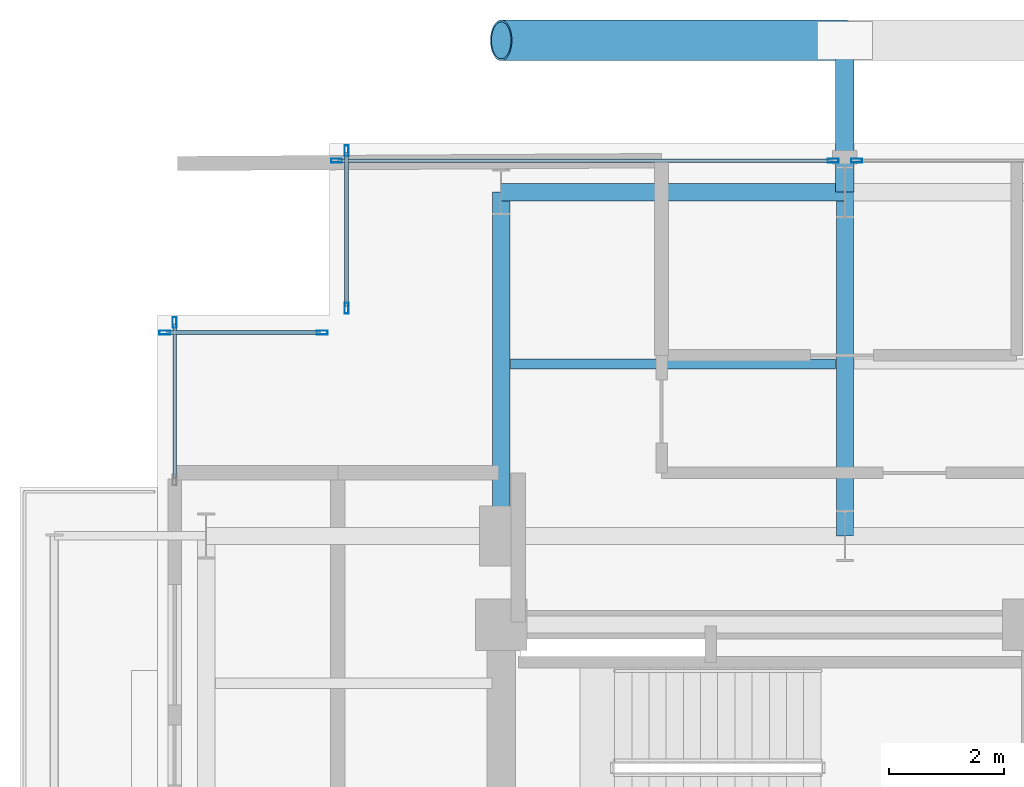
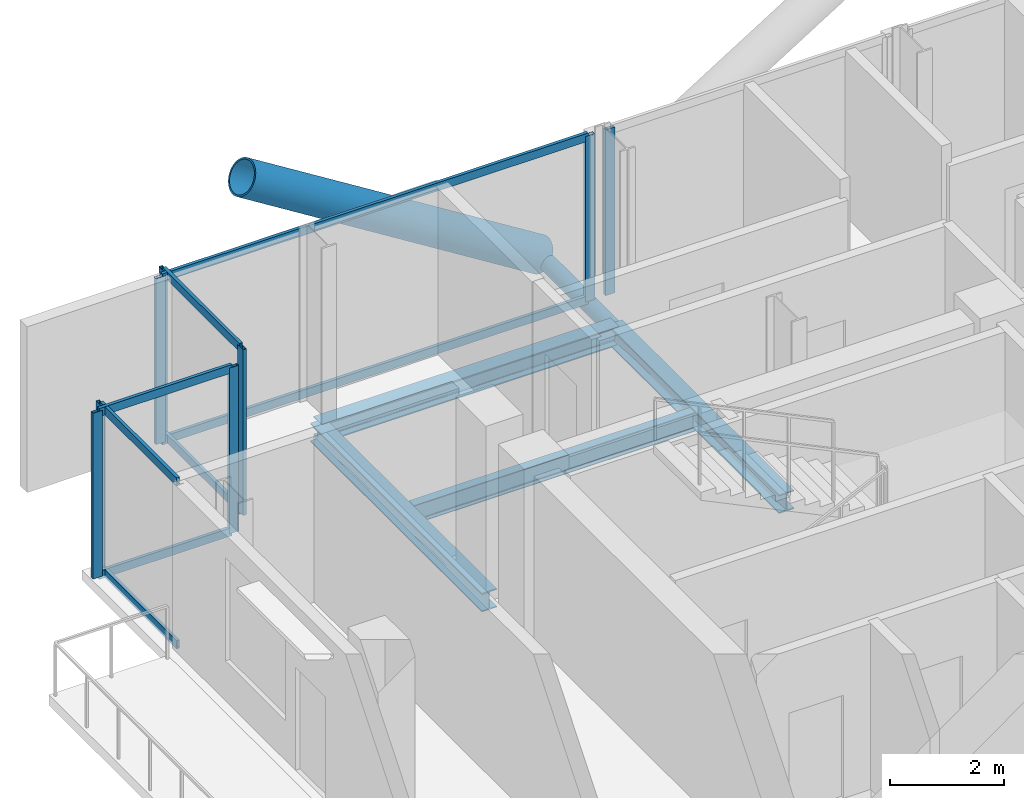
# One storey, part 14 of 26: 18 members, 4 beams, 5 elements without a shape of their own.
"""IFC4 building model written with IfcOpenShell, lengths in metres."""

from ifc_helpers import new_model, si_unit, direction, frame, origin, origin_2d, place, context, subcontext, project, spatial, hollow_rectangle, hollow_circle, i_section, extrude, material, layer, layer_set, material_profile, profile_set, type_object, element, aggregate, save


model = new_model("IFC4")

# Units and contexts
model_context = context("Model", 3, precision=1e-05, world=origin(), true_north=direction((0.0, 1.0)))
body_context = subcontext(model_context, "Body", "Model", "MODEL_VIEW")
ifc_project = project(units=[si_unit("LENGTHUNIT", "METRE"), si_unit("AREAUNIT", "SQUARE_METRE"), si_unit("VOLUMEUNIT", "CUBIC_METRE"), si_unit("PLANEANGLEUNIT", "RADIAN"), si_unit("MASSUNIT", "GRAM", prefix="KILO"), si_unit("THERMODYNAMICTEMPERATUREUNIT", "KELVIN"), si_unit("POWERUNIT", "WATT")], contexts=[model_context])

# Site, building, storey
site_placement = place(None, origin())
site = spatial("IfcSite", under=ifc_project, at=site_placement, CompositionType="ELEMENT")
building_placement = place(site_placement, origin())
building = spatial("IfcBuilding", under=site, at=building_placement, Name="Svarakhadi Broadcast Tower", CompositionType="ELEMENT")
storey_placement = place(building_placement, frame((0.0, 0.0, 184.199951171875)))
storey = spatial("IfcBuildingStorey", under=building, at=storey_placement, Name="L45", CompositionType="ELEMENT", Elevation=184.199951171875)

# Beam
ifc_material_1 = material(Name="Steel S355J2 (IS 2062 E350C)", Category="steel")
ifc_material_profile_1 = material_profile(ifc_material_1, i_section(OverallWidth=0.179931640625, OverallDepth=0.39990234375, WebThickness=0.008544921875, FlangeThickness=0.013427734375, FilletRadius=0.02099609375, at=origin_2d()), Name="NPB 400x180x66")
ifc_profile_set_1 = profile_set([ifc_material_profile_1], Name="Steel S355J2 (IS 2062 E350C)")
beam_type_1 = type_object("IfcBeamType", Name="Beam_NPB400", PredefinedType="BEAM", material=ifc_profile_set_1)
beam_placement = place(storey_placement, frame((6.159912109375, 32.14990234375, -0.409912109375), z_axis=(1.0, 0.0, 0.0), x_axis=(0.0, 1.0, 0.0)))
element("IfcBeam", 1, at=beam_placement, inside=storey, type_object=beam_type_1, Name="L45 Secondary Composite Beam SB008", PredefinedType="BEAM", context=body_context, shape_type="SweptSolid", body=[
    extrude(i_section(OverallWidth=0.179931640625, OverallDepth=0.39990234375, WebThickness=0.008544921875, FlangeThickness=0.013427734375, FilletRadius=0.02099609375, at=origin_2d()), origin(), (0.0, 0.0, 1.0), 5.68017578125),
])

# Curtain wall, member
ifc_material_2 = material(Name="Anodised Bronze Aluminium AA 6063-T6", Category="aluminium")
ifc_layer = layer(ifc_material_2, 0.18994140625)
ifc_layer_set = layer_set([ifc_layer], Name="Anodised Bronze Aluminium AA 6063-T6")
curtain_wall_type = type_object("IfcCurtainWallType", Name="CW_Sys_04", PredefinedType="NOTDEFINED", material=ifc_layer_set)
curtain_wall_1_placement = place(storey_placement, origin())
curtain_wall_1 = element("IfcCurtainWall", 2, at=curtain_wall_1_placement, inside=storey, type_object=curtain_wall_type, Name="L45 West Curtain Wall 03", PredefinedType="NOTDEFINED")
ifc_material_profile_2 = material_profile(ifc_material_2, hollow_rectangle(XDim=0.070068359375, YDim=0.18994140625, WallThickness=0.005615234375, at=origin_2d()), Name="ALU MULLION 190x70x6")
ifc_profile_set_2 = profile_set([ifc_material_profile_2], Name="Anodised Bronze Aluminium AA 6063-T6")
member_type_1 = type_object("IfcMemberType", Name="CW_Sys_04_Mul", PredefinedType="MULLION", material=ifc_profile_set_2)
member_1_placement = place(storey_placement, frame((0.300048828125, 32.875, 0.0), z_axis=(0.0, 0.0, 1.0), x_axis=(-1.0, 0.0, 0.0)))
member_1 = element("IfcMember", 3, at=member_1_placement, type_object=member_type_1, Name="CW-04 mullion 2", PredefinedType="MULLION", context=body_context, shape_type="SweptSolid", body=[
    extrude(hollow_rectangle(XDim=0.070068359375, YDim=0.18994140625, WallThickness=0.005615234375, at=origin_2d()), origin(), (0.0, 0.0, 1.0), 3.5400390625),
])

# Curtain wall, members
curtain_wall_2_placement = place(storey_placement, origin())
curtain_wall_2 = element("IfcCurtainWall", 4, at=curtain_wall_2_placement, inside=storey, type_object=curtain_wall_type, Name="L45 Unitised Facade Curtain Wall 04", PredefinedType="NOTDEFINED")
member_2_placement = place(storey_placement, frame((0.125, 32.699951171875, 0.0), z_axis=(0.0, 0.0, 1.0), x_axis=(0.0, 1.0, 0.0)))
member_2 = element("IfcMember", 5, at=member_2_placement, type_object=member_type_1, Name="CW-04 mullion 1", PredefinedType="MULLION", context=body_context, shape_type="SweptSolid", body=[
    extrude(hollow_rectangle(XDim=0.070068359375, YDim=0.18994140625, WallThickness=0.005615234375, at=origin_2d()), origin(), (0.0, 0.0, 1.0), 3.5400390625),
])
member_3_placement = place(storey_placement, frame((2.875, 32.699951171875, 0.0), z_axis=(0.0, 0.0, 1.0), x_axis=(0.0, 1.0, 0.0)))
member_3 = element("IfcMember", 6, at=member_3_placement, type_object=member_type_1, Name="CW-04 mullion 2", PredefinedType="MULLION", context=body_context, shape_type="SweptSolid", body=[
    extrude(hollow_rectangle(XDim=0.070068359375, YDim=0.18994140625, WallThickness=0.005615234375, at=origin_2d()), origin(), (0.0, 0.0, 1.0), 3.5400390625),
])

curtain_wall_3_placement = place(storey_placement, origin())
curtain_wall_3 = element("IfcCurtainWall", 7, at=curtain_wall_3_placement, inside=storey, type_object=curtain_wall_type, Name="L45 Unitised Facade Curtain Wall 05", PredefinedType="NOTDEFINED")
member_4_placement = place(storey_placement, frame((3.300048828125, 33.125, 0.0), z_axis=(0.0, 0.0, 1.0), x_axis=(-1.0, 0.0, 0.0)))
member_4 = element("IfcMember", 8, at=member_4_placement, type_object=member_type_1, Name="CW-04 mullion 1", PredefinedType="MULLION", context=body_context, shape_type="SweptSolid", body=[
    extrude(hollow_rectangle(XDim=0.070068359375, YDim=0.18994140625, WallThickness=0.005615234375, at=origin_2d()), origin(), (0.0, 0.0, 1.0), 3.5400390625),
])
member_5_placement = place(storey_placement, frame((3.300048828125, 35.875, 0.0), z_axis=(0.0, 0.0, 1.0), x_axis=(-1.0, 0.0, 0.0)))
member_5 = element("IfcMember", 9, at=member_5_placement, type_object=member_type_1, Name="CW-04 mullion 2", PredefinedType="MULLION", context=body_context, shape_type="SweptSolid", body=[
    extrude(hollow_rectangle(XDim=0.070068359375, YDim=0.18994140625, WallThickness=0.005615234375, at=origin_2d()), origin(), (0.0, 0.0, 1.0), 3.5400390625),
])

curtain_wall_4_placement = place(storey_placement, origin())
curtain_wall_4 = element("IfcCurtainWall", 10, at=curtain_wall_4_placement, inside=storey, type_object=curtain_wall_type, Name="L45 Unitised Facade Curtain Wall 06 Bay 1", PredefinedType="NOTDEFINED")
member_6_placement = place(storey_placement, frame((3.125, 35.699951171875, 0.0), z_axis=(0.0, 0.0, 1.0), x_axis=(0.0, 1.0, 0.0)))
member_6 = element("IfcMember", 11, at=member_6_placement, type_object=member_type_1, Name="CW-04 mullion 1", PredefinedType="MULLION", context=body_context, shape_type="SweptSolid", body=[
    extrude(hollow_rectangle(XDim=0.070068359375, YDim=0.18994140625, WallThickness=0.005615234375, at=origin_2d()), origin(), (0.0, 0.0, 1.0), 3.5400390625),
])
member_7_placement = place(storey_placement, frame((11.794921875, 35.699951171875, 0.0), z_axis=(0.0, 0.0, 1.0), x_axis=(0.0, 1.0, 0.0)))
member_7 = element("IfcMember", 12, at=member_7_placement, type_object=member_type_1, Name="CW-04 mullion 2", PredefinedType="MULLION", context=body_context, shape_type="SweptSolid", body=[
    extrude(hollow_rectangle(XDim=0.070068359375, YDim=0.18994140625, WallThickness=0.005615234375, at=origin_2d()), origin(), (0.0, 0.0, 1.0), 3.5400390625),
])

# Curtain wall, member
curtain_wall_5_placement = place(storey_placement, origin())
curtain_wall_5 = element("IfcCurtainWall", 13, at=curtain_wall_5_placement, inside=storey, type_object=curtain_wall_type, Name="L45 Unitised Facade Curtain Wall 06 Bay 2", PredefinedType="NOTDEFINED")
member_8_placement = place(storey_placement, frame((12.205078125, 35.699951171875, 0.0), z_axis=(0.0, 0.0, 1.0), x_axis=(0.0, 1.0, 0.0)))
member_8 = element("IfcMember", 14, at=member_8_placement, type_object=member_type_1, Name="CW-04 mullion 1", PredefinedType="MULLION", context=body_context, shape_type="SweptSolid", body=[
    extrude(hollow_rectangle(XDim=0.070068359375, YDim=0.18994140625, WallThickness=0.005615234375, at=origin_2d()), origin(), (0.0, 0.0, 1.0), 3.5400390625),
])
aggregate(curtain_wall_5, [member_8])

# Member
ifc_material_profile_3 = material_profile(ifc_material_2, hollow_rectangle(XDim=0.06494140625, YDim=0.175048828125, WallThickness=0.0048828125, at=origin_2d()), Name="ALU TRANSOM 175x65x5")
ifc_profile_set_3 = profile_set([ifc_material_profile_3], Name="Anodised Bronze Aluminium AA 6063-T6")
member_type_2 = type_object("IfcMemberType", Name="CW_Sys_04_Trn", PredefinedType="USERDEFINED", material=ifc_profile_set_3)
member_9_placement = place(storey_placement, frame((0.300048828125, 30.159912109375, 0.032470703125), z_axis=(0.0, 1.0, 0.0), x_axis=(-1.0, 0.0, 0.0)))
member_9 = element("IfcMember", 15, at=member_9_placement, type_object=member_type_2, Name="CW-04 transom 1.1", ObjectType="TRANSOM", PredefinedType="USERDEFINED", context=body_context, shape_type="SweptSolid", body=[
    extrude(hollow_rectangle(XDim=0.06494140625, YDim=0.175048828125, WallThickness=0.0048828125, at=origin_2d()), origin(), (0.0, 0.0, 1.0), 2.68017578125),
])

member_10_placement = place(storey_placement, frame((0.300048828125, 30.159912109375, 3.507568359375), z_axis=(0.0, 1.0, 0.0), x_axis=(-1.0, 0.0, 0.0)))
member_10 = element("IfcMember", 16, at=member_10_placement, type_object=member_type_2, Name="CW-04 transom 1.2", ObjectType="TRANSOM", PredefinedType="USERDEFINED", context=body_context, shape_type="SweptSolid", body=[
    extrude(hollow_rectangle(XDim=0.06494140625, YDim=0.175048828125, WallThickness=0.0048828125, at=origin_2d()), origin(), (0.0, 0.0, 1.0), 2.68017578125),
])

aggregate(curtain_wall_1, [member_1, member_9, member_10])

member_11_placement = place(storey_placement, frame((0.159912109375, 32.699951171875, 0.032470703125), z_axis=(1.0, 0.0, 0.0), x_axis=(0.0, 1.0, 0.0)))
member_11 = element("IfcMember", 17, at=member_11_placement, type_object=member_type_2, Name="CW-04 transom 1.1", ObjectType="TRANSOM", PredefinedType="USERDEFINED", context=body_context, shape_type="SweptSolid", body=[
    extrude(hollow_rectangle(XDim=0.06494140625, YDim=0.175048828125, WallThickness=0.0048828125, at=origin_2d()), origin(), (0.0, 0.0, 1.0), 2.68017578125),
])

member_12_placement = place(storey_placement, frame((0.159912109375, 32.699951171875, 3.507568359375), z_axis=(1.0, 0.0, 0.0), x_axis=(0.0, 1.0, 0.0)))
member_12 = element("IfcMember", 18, at=member_12_placement, type_object=member_type_2, Name="CW-04 transom 1.2", ObjectType="TRANSOM", PredefinedType="USERDEFINED", context=body_context, shape_type="SweptSolid", body=[
    extrude(hollow_rectangle(XDim=0.06494140625, YDim=0.175048828125, WallThickness=0.0048828125, at=origin_2d()), origin(), (0.0, 0.0, 1.0), 2.68017578125),
])

aggregate(curtain_wall_2, [member_2, member_3, member_11, member_12])

member_13_placement = place(storey_placement, frame((3.300048828125, 33.159912109375, 0.032470703125), z_axis=(0.0, 1.0, 0.0), x_axis=(-1.0, 0.0, 0.0)))
member_13 = element("IfcMember", 19, at=member_13_placement, type_object=member_type_2, Name="CW-04 transom 1.1", ObjectType="TRANSOM", PredefinedType="USERDEFINED", context=body_context, shape_type="SweptSolid", body=[
    extrude(hollow_rectangle(XDim=0.06494140625, YDim=0.175048828125, WallThickness=0.0048828125, at=origin_2d()), origin(), (0.0, 0.0, 1.0), 2.68017578125),
])

member_14_placement = place(storey_placement, frame((3.300048828125, 33.159912109375, 3.507568359375), z_axis=(0.0, 1.0, 0.0), x_axis=(-1.0, 0.0, 0.0)))
member_14 = element("IfcMember", 20, at=member_14_placement, type_object=member_type_2, Name="CW-04 transom 1.2", ObjectType="TRANSOM", PredefinedType="USERDEFINED", context=body_context, shape_type="SweptSolid", body=[
    extrude(hollow_rectangle(XDim=0.06494140625, YDim=0.175048828125, WallThickness=0.0048828125, at=origin_2d()), origin(), (0.0, 0.0, 1.0), 2.68017578125),
])

aggregate(curtain_wall_3, [member_4, member_5, member_13, member_14])

member_15_placement = place(storey_placement, frame((3.159912109375, 35.699951171875, 0.032470703125), z_axis=(1.0, 0.0, 0.0), x_axis=(0.0, 1.0, 0.0)))
member_15 = element("IfcMember", 21, at=member_15_placement, type_object=member_type_2, Name="CW-04 transom 1.1", ObjectType="TRANSOM", PredefinedType="USERDEFINED", context=body_context, shape_type="SweptSolid", body=[
    extrude(hollow_rectangle(XDim=0.06494140625, YDim=0.175048828125, WallThickness=0.0048828125, at=origin_2d()), origin(), (0.0, 0.0, 1.0), 8.60009765625),
])

member_16_placement = place(storey_placement, frame((3.159912109375, 35.699951171875, 3.507568359375), z_axis=(1.0, 0.0, 0.0), x_axis=(0.0, 1.0, 0.0)))
member_16 = element("IfcMember", 22, at=member_16_placement, type_object=member_type_2, Name="CW-04 transom 1.2", ObjectType="TRANSOM", PredefinedType="USERDEFINED", context=body_context, shape_type="SweptSolid", body=[
    extrude(hollow_rectangle(XDim=0.06494140625, YDim=0.175048828125, WallThickness=0.0048828125, at=origin_2d()), origin(), (0.0, 0.0, 1.0), 8.60009765625),
])

aggregate(curtain_wall_4, [member_6, member_7, member_15, member_16])

# Members
ifc_material_3 = material(Name="Steel S460ML (IS 2062 E450BR)", Category="steel")
ifc_material_profile_4 = material_profile(ifc_material_3, hollow_circle(Radius=0.35546875, WallThickness=0.034912109375, at=origin_2d()), Name="CHS 711x35")
ifc_profile_set_4 = profile_set([ifc_material_profile_4], Name="Steel S460ML (IS 2062 E450BR)")
member_type_3 = type_object("IfcMemberType", Name="Exo_Brace_CHS711", PredefinedType="BRACE", material=ifc_profile_set_4)
member_17_placement = place(storey_placement, frame((12.0, 37.800048828125, -0.371826171875), z_axis=(-0.847998304005, 0.0, 0.529998940003), x_axis=(0.0, -1.0, 0.0)))
element("IfcMember", 23, at=member_17_placement, inside=storey, type_object=member_type_3, Name="L45 Exposed Bronze Exoskeleton Diagonal N08", PredefinedType="BRACE", context=body_context, shape_type="SweptSolid", body=[
    extrude(hollow_circle(Radius=0.35546875, WallThickness=0.034912109375, at=origin_2d()), origin(), (0.0, 0.0, 1.0), 7.075439453125),
])
ifc_material_profile_5 = material_profile(ifc_material_3, hollow_circle(Radius=0.161865234375, WallThickness=0.01611328125, at=origin_2d()), Name="CHS 323.9x16")
ifc_profile_set_5 = profile_set([ifc_material_profile_5], Name="Steel S460ML (IS 2062 E450BR)")
member_type_4 = type_object("IfcMemberType", Name="Exo_Radial_Strut_Z2", PredefinedType="STRUT", material=ifc_profile_set_5)
member_18_placement = place(storey_placement, frame((12.0, 37.800048828125, -0.371826171875), z_axis=(0.0, -1.0, 0.0), x_axis=(1.0, 0.0, 0.0)))
element("IfcMember", 24, at=member_18_placement, inside=storey, type_object=member_type_4, Name="L45 Exoskeleton Radial Tie Strut N05", PredefinedType="STRUT", context=body_context, shape_type="SweptSolid", body=[
    extrude(hollow_circle(Radius=0.161865234375, WallThickness=0.01611328125, at=origin_2d()), origin(), (0.0, 0.0, 1.0), 2.650146484375),
])

# Beams
ifc_material_profile_6 = material_profile(ifc_material_1, i_section(OverallWidth=0.300048828125, OverallDepth=0.39990234375, WebThickness=0.013427734375, FlangeThickness=0.02392578125, FilletRadius=0.027099609375, at=origin_2d()), Name="WPB 400x300x155")
ifc_profile_set_6 = profile_set([ifc_material_profile_6], Name="Steel S355J2 (IS 2062 E350C)")
beam_type_2 = type_object("IfcBeamType", Name="Girder_WPB400", PredefinedType="USERDEFINED", material=ifc_profile_set_6)
for number, where, z_axis, x_axis, name in (
    (25, (6.0, 35.14990234375, -0.409912109375), (1.0, 0.0, 0.0), (0.0, 1.0, 0.0), "L45 Primary E-W Girder G031"),
    (26, (6.0, 29.14990234375, -0.409912109375), (0.0, 1.0, 0.0), (-1.0, 0.0, 0.0), "L45 Primary N-S Girder G041"),
    (27, (12.0, 29.14990234375, -0.409912109375), (0.0, 1.0, 0.0), (-1.0, 0.0, 0.0), "L45 Primary N-S Girder G045"),
):
    element("IfcBeam", number, at=place(storey_placement, frame(where, z_axis=z_axis, x_axis=x_axis)), inside=storey, type_object=beam_type_2, Name=name, ObjectType="GIRDER", PredefinedType="USERDEFINED", context=body_context, shape_type="SweptSolid", body=[
        extrude(i_section(OverallWidth=0.300048828125, OverallDepth=0.39990234375, WebThickness=0.013427734375, FlangeThickness=0.02392578125, FilletRadius=0.027099609375, at=origin_2d()), origin(), (0.0, 0.0, 1.0), 6.0),
    ])

save(model, "model.ifc")
